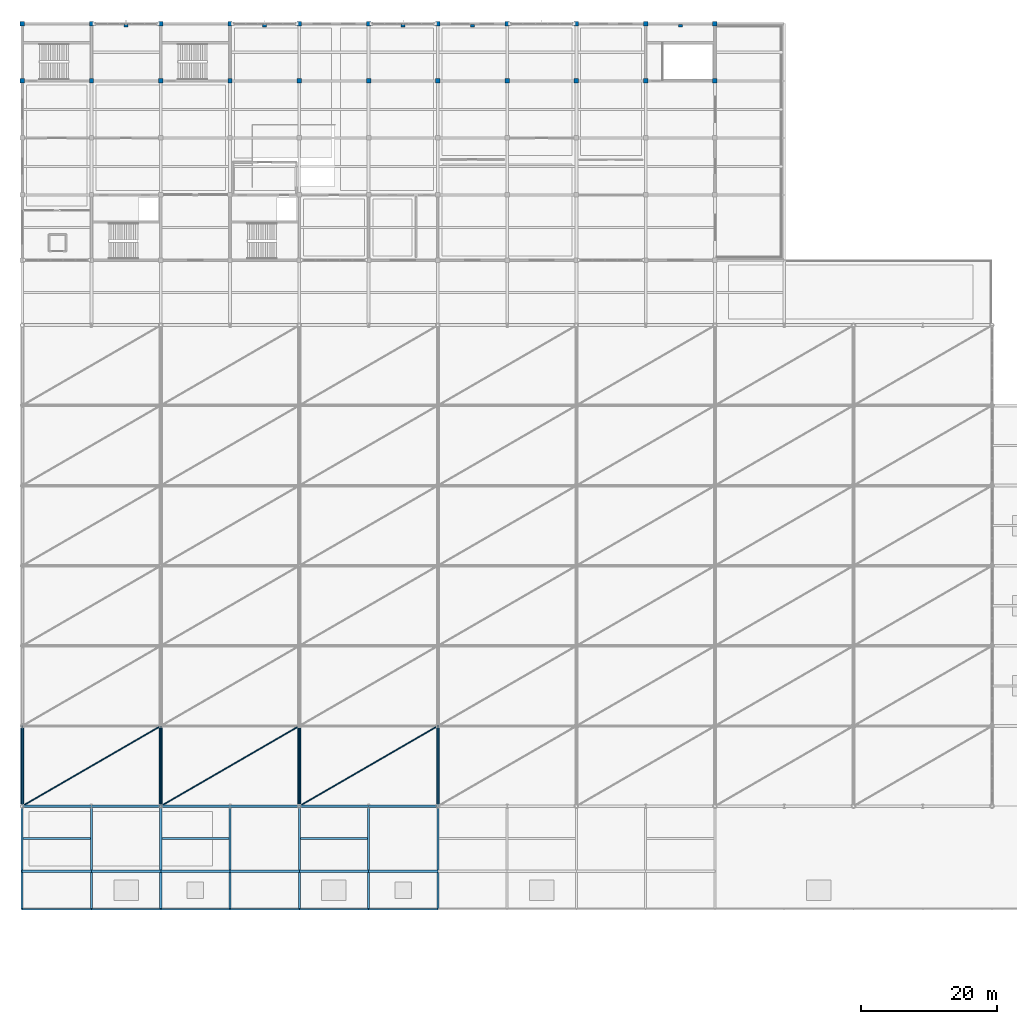
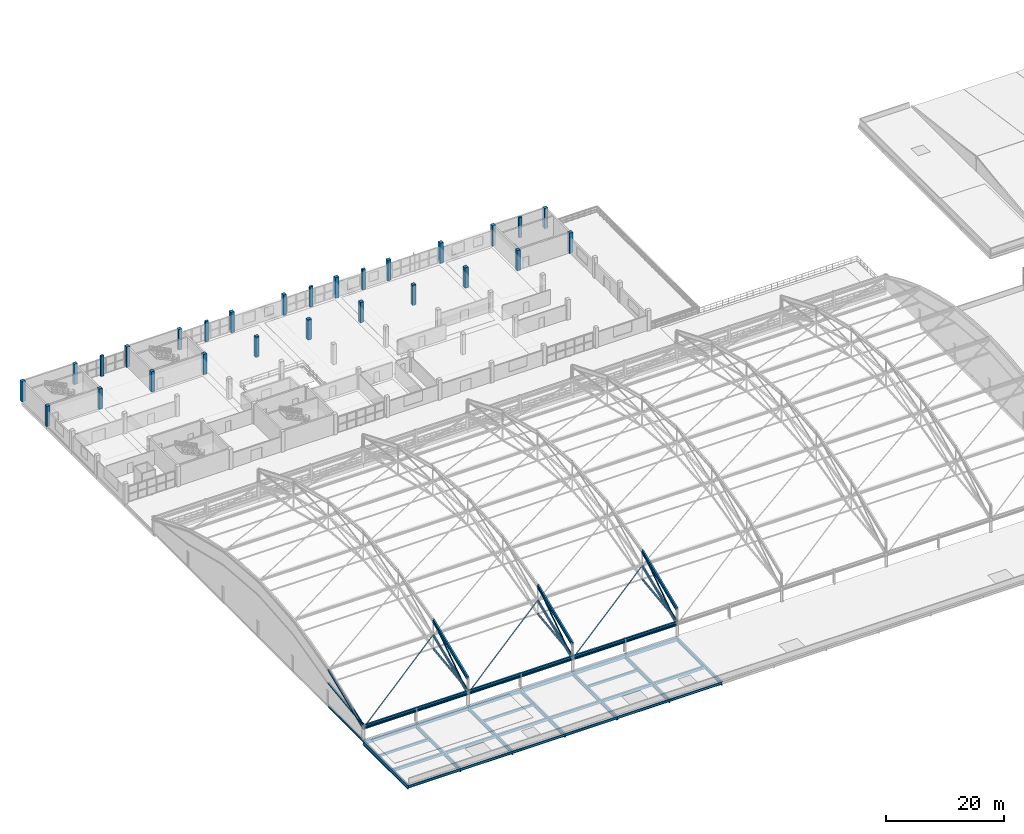
# One storey, part 14 of 135: 35 beams, 27 columns, 21 members.
"""IFC4 building model written with IfcOpenShell, lengths in metres."""

from ifc_helpers import new_model, si_unit, direction, frame, origin, origin_2d, place, context, subcontext, project, spatial, rectangle, hollow_circle, i_section, extrude, material, material_profile, profile_set, type_object, element, save


model = new_model("IFC4")

# Units and contexts
model_context = context("Model", 3, precision=1e-05, world=origin(), true_north=direction((0.0, 1.0)))
body_context = subcontext(model_context, "Body", "Model", "MODEL_VIEW")
ifc_project = project(units=[si_unit("LENGTHUNIT", "METRE"), si_unit("AREAUNIT", "SQUARE_METRE"), si_unit("VOLUMEUNIT", "CUBIC_METRE"), si_unit("PLANEANGLEUNIT", "RADIAN"), si_unit("MASSUNIT", "GRAM", prefix="KILO")], contexts=[model_context])

# Site, building, storey
site_placement = place(None, origin())
site = spatial("IfcSite", under=ifc_project, at=site_placement, CompositionType="ELEMENT")
building_placement = place(site_placement, origin())
building = spatial("IfcBuilding", under=site, at=building_placement, Name="Brelvane Convention Centre", CompositionType="ELEMENT")
storey_placement = place(building_placement, frame((0.0, 0.0, 15.0)))
storey = spatial("IfcBuildingStorey", under=building, at=storey_placement, Name="L03", CompositionType="ELEMENT", Elevation=15.0)

# Columns
ifc_material_1 = material(Name="Concrete M50", Category="concrete")
ifc_material_profile_1 = material_profile(ifc_material_1, rectangle(XDim=0.64990234375, YDim=0.64990234375, at=origin_2d()), Name="RC 650x650")
ifc_profile_set_1 = profile_set([ifc_material_profile_1], Name="Concrete M50")
column_type_1 = type_object("IfcColumnType", Name="RC Column C-RC10 (RC 650x650)", PredefinedType="COLUMN", material=ifc_profile_set_1)
for number, where, z_axis, x_axis, name in (
    (1, (0.0, 135.60009765625, 0.0), (0.0, 0.0, 1.0), (1.0, 0.0, 0.0), "Column 1-P (L03)"),
    (2, (0.0, 144.0, 0.0), (0.0, 0.0, 1.0), (1.0, 0.0, 0.0), "Column 1-Q (L03)"),
    (3, (10.199951171875, 135.60009765625, 0.0), (0.0, 0.0, 1.0), (1.0, 0.0, 0.0), "Column 2-P (L03)"),
    (4, (10.199951171875, 144.0, 0.0), (0.0, 0.0, 1.0), (1.0, 0.0, 0.0), "Column 2-Q (L03)"),
    (5, (20.39990234375, 135.60009765625, 0.0), (0.0, 0.0, 1.0), (1.0, 0.0, 0.0), "Column 3-P (L03)"),
    (6, (20.39990234375, 144.0, 0.0), (0.0, 0.0, 1.0), (1.0, 0.0, 0.0), "Column 3-Q (L03)"),
    (7, (30.60009765625, 135.60009765625, 0.0), (0.0, 0.0, 1.0), (1.0, 0.0, 0.0), "Column 4-P (L03)"),
    (8, (30.60009765625, 144.0, 0.0), (0.0, 0.0, 1.0), (1.0, 0.0, 0.0), "Column 4-Q (L03)"),
    (9, (40.800048828125, 135.60009765625, 0.0), (0.0, 0.0, 1.0), (1.0, 0.0, 0.0), "Column 5-P (L03)"),
    (10, (40.800048828125, 144.0, 0.0), (0.0, 0.0, 1.0), (1.0, 0.0, 0.0), "Column 5-Q (L03)"),
    (11, (51.0, 135.60009765625, 0.0), (0.0, 0.0, 1.0), (1.0, 0.0, 0.0), "Column 6-P (L03)"),
    (12, (51.0, 144.0, 0.0), (0.0, 0.0, 1.0), (1.0, 0.0, 0.0), "Column 6-Q (L03)"),
    (13, (61.199951171875, 135.60009765625, 0.0), (0.0, 0.0, 1.0), (1.0, 0.0, 0.0), "Column 7-P (L03)"),
    (14, (61.199951171875, 144.0, 0.0), (0.0, 0.0, 1.0), (1.0, 0.0, 0.0), "Column 7-Q (L03)"),
    (15, (71.39990234375, 135.60009765625, 0.0), (0.0, 0.0, 1.0), (1.0, 0.0, 0.0), "Column 8-P (L03)"),
    (16, (71.39990234375, 144.0, 0.0), (0.0, 0.0, 1.0), (1.0, 0.0, 0.0), "Column 8-Q (L03)"),
    (17, (81.60009765625, 135.60009765625, 0.0), (0.0, 0.0, 1.0), (1.0, 0.0, 0.0), "Column 9-P (L03)"),
    (18, (81.60009765625, 144.0, 0.0), (0.0, 0.0, 1.0), (1.0, 0.0, 0.0), "Column 9-Q (L03)"),
    (19, (91.800048828125, 135.60009765625, 0.0), (0.0, 0.0, 1.0), (1.0, 0.0, 0.0), "Column 10-P (L03)"),
    (20, (91.800048828125, 144.0, 0.0), (0.0, 0.0, 1.0), (1.0, 0.0, 0.0), "Column 10-Q (L03)"),
    (21, (102.0, 135.60009765625, 0.0), (0.0, 0.0, 1.0), (1.0, 0.0, 0.0), "Column 11-P (L03)"),
    (22, (102.0, 144.0, 0.0), (0.0, 0.0, 1.0), (1.0, 0.0, 0.0), "Column 11-Q (L03)"),
):
    element("IfcColumn", number, at=place(storey_placement, frame(where, z_axis=z_axis, x_axis=x_axis)), inside=storey, type_object=column_type_1, Name=name, PredefinedType="COLUMN", context=body_context, shape_type="SweptSolid", body=[
        extrude(rectangle(XDim=0.64990234375, YDim=0.64990234375, at=origin_2d()), origin(), (0.0, 0.0, 1.0), 4.199951171875),
    ])
ifc_material_2 = material(Name="Concrete M50", Category="concrete")
ifc_material_profile_2 = material_profile(ifc_material_2, rectangle(XDim=0.60009765625, YDim=0.39990234375, at=origin_2d()), Name="RC 600x400")
ifc_profile_set_2 = profile_set([ifc_material_profile_2], Name="Concrete M50")
column_type_2 = type_object("IfcColumnType", Name="RC Column PL-RC3 (RC 600x400)", PredefinedType="PILASTER", material=ifc_profile_set_2)
for number, where, z_axis, x_axis, name in (
    (23, (15.300048828125, 143.699951171875, 0.0), (0.0, 0.0, 1.0), (1.0, 0.0, 0.0), "Rear Wing Structural Pier P1 (L03)"),
    (24, (35.699951171875, 143.699951171875, 0.0), (0.0, 0.0, 1.0), (1.0, 0.0, 0.0), "Rear Wing Structural Pier P2 (L03)"),
    (25, (56.10009765625, 143.699951171875, 0.0), (0.0, 0.0, 1.0), (1.0, 0.0, 0.0), "Rear Wing Structural Pier P3 (L03)"),
    (26, (66.300048828125, 143.699951171875, 0.0), (0.0, 0.0, 1.0), (1.0, 0.0, 0.0), "Rear Wing Structural Pier P4 (L03)"),
    (27, (96.89990234375, 143.699951171875, 0.0), (0.0, 0.0, 1.0), (1.0, 0.0, 0.0), "Rear Wing Structural Pier P5 (L03)"),
):
    element("IfcColumn", number, at=place(storey_placement, frame(where, z_axis=z_axis, x_axis=x_axis)), inside=storey, type_object=column_type_2, Name=name, PredefinedType="PILASTER", context=body_context, shape_type="SweptSolid", body=[
        extrude(rectangle(XDim=0.60009765625, YDim=0.39990234375, at=origin_2d()), origin(), (0.0, 0.0, 1.0), 4.199951171875),
    ])

# Beams
ifc_material_3 = material(Name="Concrete M40", Category="concrete")
ifc_material_profile_3 = material_profile(ifc_material_3, rectangle(XDim=0.39990234375, YDim=0.75, at=origin_2d()), Name="RC 400x750")
ifc_profile_set_3 = profile_set([ifc_material_profile_3], Name="Concrete M40")
beam_type_1 = type_object("IfcBeamType", Name="RC Beam B-RC6 (RC 400x750)", PredefinedType="BEAM", material=ifc_profile_set_3)
for number, where, z_axis, x_axis, name in (
    (28, (0.0, 28.800048828125, -0.675048828125), (1.0, 0.0, 0.0), (0.0, 1.0, 0.0), "L03 Beam 1-2/D"),
    (29, (10.199951171875, 28.800048828125, -0.675048828125), (1.0, 0.0, 0.0), (0.0, 1.0, 0.0), "L03 Beam 2-3/D"),
):
    element("IfcBeam", number, at=place(storey_placement, frame(where, z_axis=z_axis, x_axis=x_axis)), inside=storey, type_object=beam_type_1, Name=name, PredefinedType="BEAM", context=body_context, shape_type="SweptSolid", body=[
        extrude(rectangle(XDim=0.39990234375, YDim=0.75, at=origin_2d()), origin(), (0.0, 0.0, 1.0), 10.199951171875),
    ])
beam_1_placement = place(storey_placement, frame((20.39990234375, 28.800048828125, -0.675048828125), z_axis=(1.0, 0.0, 0.0), x_axis=(0.0, 1.0, 0.0)))
element("IfcBeam", 30, at=beam_1_placement, inside=storey, type_object=beam_type_1, Name="L03 Beam 3-4/D", PredefinedType="BEAM", context=body_context, shape_type="SweptSolid", body=[
    extrude(rectangle(XDim=0.39990234375, YDim=0.75, at=origin_2d()), origin(), (0.0, 0.0, 1.0), 10.2001953125),
])
for number, where, z_axis, x_axis, name in (
    (31, (30.60009765625, 28.800048828125, -0.675048828125), (1.0, 0.0, 0.0), (0.0, 1.0, 0.0), "L03 Beam 4-5/D"),
    (32, (40.800048828125, 28.800048828125, -0.675048828125), (1.0, 0.0, 0.0), (0.0, 1.0, 0.0), "L03 Beam 5-6/D"),
    (33, (51.0, 28.800048828125, -0.675048828125), (1.0, 0.0, 0.0), (0.0, 1.0, 0.0), "L03 Beam 6-7/D"),
):
    element("IfcBeam", number, at=place(storey_placement, frame(where, z_axis=z_axis, x_axis=x_axis)), inside=storey, type_object=beam_type_1, Name=name, PredefinedType="BEAM", context=body_context, shape_type="SweptSolid", body=[
        extrude(rectangle(XDim=0.39990234375, YDim=0.75, at=origin_2d()), origin(), (0.0, 0.0, 1.0), 10.199951171875),
    ])
ifc_material_4 = material(Name="Concrete M40", Category="concrete")
ifc_material_profile_4 = material_profile(ifc_material_4, rectangle(XDim=0.300048828125, YDim=0.5, at=origin_2d()), Name="RC 300x500")
ifc_profile_set_4 = profile_set([ifc_material_profile_4], Name="Concrete M40")
beam_type_2 = type_object("IfcBeamType", Name="RC Joist J-RC2 (RC 300x500)", PredefinedType="JOIST", material=ifc_profile_set_4)
beam_2_placement = place(storey_placement, frame((0.14990234375, 24.0, -0.550048828125), z_axis=(1.0, 0.0, 0.0), x_axis=(0.0, 1.0, 0.0)))
element("IfcBeam", 34, at=beam_2_placement, inside=storey, type_object=beam_type_2, Name="L03 Secondary Joist 1-2/CD", PredefinedType="JOIST", context=body_context, shape_type="SweptSolid", body=[
    extrude(rectangle(XDim=0.300048828125, YDim=0.5, at=origin_2d()), origin(), (0.0, 0.0, 1.0), 9.900146484375),
])
beam_3_placement = place(storey_placement, frame((20.550048828125, 24.0, -0.550048828125), z_axis=(1.0, 0.0, 0.0), x_axis=(0.0, 1.0, 0.0)))
element("IfcBeam", 35, at=beam_3_placement, inside=storey, type_object=beam_type_2, Name="L03 Secondary Joist 3-4/CD", PredefinedType="JOIST", context=body_context, shape_type="SweptSolid", body=[
    extrude(rectangle(XDim=0.300048828125, YDim=0.5, at=origin_2d()), origin(), (0.0, 0.0, 1.0), 9.89990234375),
])
beam_4_placement = place(storey_placement, frame((40.949951171875, 24.0, -0.550048828125), z_axis=(1.0, 0.0, 0.0), x_axis=(0.0, 1.0, 0.0)))
element("IfcBeam", 36, at=beam_4_placement, inside=storey, type_object=beam_type_2, Name="L03 Secondary Joist 5-6/CD", PredefinedType="JOIST", context=body_context, shape_type="SweptSolid", body=[
    extrude(rectangle(XDim=0.300048828125, YDim=0.5, at=origin_2d()), origin(), (0.0, 0.0, 1.0), 9.900146484375),
])
ifc_material_5 = material(Name="Concrete M40", Category="concrete")
ifc_material_profile_5 = material_profile(ifc_material_5, rectangle(XDim=0.35009765625, YDim=0.60009765625, at=origin_2d()), Name="RC 350x600")
ifc_profile_set_5 = profile_set([ifc_material_profile_5], Name="Concrete M40")
beam_type_3 = type_object("IfcBeamType", Name="RC Spandrel SP-RC2 (RC 350x600)", PredefinedType="SPANDREL", material=ifc_profile_set_5)
for number, where, z_axis, x_axis, name in (
    (37, (0.0, 19.199951171875, -0.60009765625), (1.0, 0.0, 0.0), (0.0, 1.0, 0.0), "L03 Beam 1-2/C"),
    (38, (10.199951171875, 19.199951171875, -0.60009765625), (1.0, 0.0, 0.0), (0.0, 1.0, 0.0), "L03 Beam 2-3/C"),
):
    element("IfcBeam", number, at=place(storey_placement, frame(where, z_axis=z_axis, x_axis=x_axis)), inside=storey, type_object=beam_type_3, Name=name, PredefinedType="SPANDREL", context=body_context, shape_type="SweptSolid", body=[
        extrude(rectangle(XDim=0.35009765625, YDim=0.60009765625, at=origin_2d()), origin(), (0.0, 0.0, 1.0), 10.199951171875),
    ])
beam_5_placement = place(storey_placement, frame((20.39990234375, 19.199951171875, -0.60009765625), z_axis=(1.0, 0.0, 0.0), x_axis=(0.0, 1.0, 0.0)))
element("IfcBeam", 39, at=beam_5_placement, inside=storey, type_object=beam_type_3, Name="L03 Beam 3-4/C", PredefinedType="SPANDREL", context=body_context, shape_type="SweptSolid", body=[
    extrude(rectangle(XDim=0.35009765625, YDim=0.60009765625, at=origin_2d()), origin(), (0.0, 0.0, 1.0), 10.2001953125),
])
for number, where, z_axis, x_axis, name in (
    (40, (30.60009765625, 19.199951171875, -0.60009765625), (1.0, 0.0, 0.0), (0.0, 1.0, 0.0), "L03 Beam 4-5/C"),
    (41, (40.800048828125, 19.199951171875, -0.60009765625), (1.0, 0.0, 0.0), (0.0, 1.0, 0.0), "L03 Beam 5-6/C"),
    (42, (51.0, 19.199951171875, -0.60009765625), (1.0, 0.0, 0.0), (0.0, 1.0, 0.0), "L03 Beam 6-7/C"),
):
    element("IfcBeam", number, at=place(storey_placement, frame(where, z_axis=z_axis, x_axis=x_axis)), inside=storey, type_object=beam_type_3, Name=name, PredefinedType="SPANDREL", context=body_context, shape_type="SweptSolid", body=[
        extrude(rectangle(XDim=0.35009765625, YDim=0.60009765625, at=origin_2d()), origin(), (0.0, 0.0, 1.0), 10.199951171875),
    ])
ifc_material_6 = material(Name="Steel E450 (450 MPa)", Category="steel")
ifc_material_profile_6 = material_profile(ifc_material_6, i_section(OverallWidth=0.300048828125, OverallDepth=0.89990234375, WebThickness=0.0166015625, FlangeThickness=0.031982421875, FilletRadius=0.027099609375, at=origin_2d()), Name="NPB 900x300")
ifc_profile_set_6 = profile_set([ifc_material_profile_6], Name="Steel E450 (450 MPa)")
beam_type_4 = type_object("IfcBeamType", Name="Steel Beam B-ST1 (NPB 900x300)", PredefinedType="BEAM", material=ifc_profile_set_6)
beam_6_placement = place(storey_placement, frame((0.0, 28.800048828125, 2.550048828125), z_axis=(1.0, 0.0, 0.0), x_axis=(0.0, 1.0, 0.0)))
element("IfcBeam", 43, at=beam_6_placement, inside=storey, type_object=beam_type_4, Name="SF_EXH Eaves Ring Girder S-1", PredefinedType="BEAM", context=body_context, shape_type="SweptSolid", body=[
    extrude(i_section(OverallWidth=0.300048828125, OverallDepth=0.89990234375, WebThickness=0.0166015625, FlangeThickness=0.031982421875, FilletRadius=0.027099609375, at=origin_2d()), origin(), (0.0, 0.0, 1.0), 20.39990234375),
])
beam_7_placement = place(storey_placement, frame((20.39990234375, 28.800048828125, 2.550048828125), z_axis=(1.0, 0.0, 0.0), x_axis=(0.0, 1.0, 0.0)))
element("IfcBeam", 44, at=beam_7_placement, inside=storey, type_object=beam_type_4, Name="SF_EXH Eaves Ring Girder S-2", PredefinedType="BEAM", context=body_context, shape_type="SweptSolid", body=[
    extrude(i_section(OverallWidth=0.300048828125, OverallDepth=0.89990234375, WebThickness=0.0166015625, FlangeThickness=0.031982421875, FilletRadius=0.027099609375, at=origin_2d()), origin(), (0.0, 0.0, 1.0), 20.400146484375),
])
beam_8_placement = place(storey_placement, frame((40.800048828125, 28.800048828125, 2.550048828125), z_axis=(1.0, 0.0, 0.0), x_axis=(0.0, 1.0, 0.0)))
element("IfcBeam", 45, at=beam_8_placement, inside=storey, type_object=beam_type_4, Name="SF_EXH Eaves Ring Girder S-3", PredefinedType="BEAM", context=body_context, shape_type="SweptSolid", body=[
    extrude(i_section(OverallWidth=0.300048828125, OverallDepth=0.89990234375, WebThickness=0.0166015625, FlangeThickness=0.031982421875, FilletRadius=0.027099609375, at=origin_2d()), origin(), (0.0, 0.0, 1.0), 20.39990234375),
])
ifc_material_7 = material(Name="Steel E450 (450 MPa)", Category="steel")
ifc_material_profile_7 = material_profile(ifc_material_7, i_section(OverallWidth=0.300048828125, OverallDepth=0.800048828125, WebThickness=0.015380859375, FlangeThickness=0.030029296875, FilletRadius=0.027099609375, at=origin_2d()), Name="NPB 800x300")
ifc_profile_set_7 = profile_set([ifc_material_profile_7], Name="Steel E450 (450 MPa)")
beam_type_5 = type_object("IfcBeamType", Name="Steel Beam B-ST2 (NPB 800x300)", PredefinedType="BEAM", material=ifc_profile_set_7)
for number, where, z_axis, x_axis, name in (
    (46, (0.0, 13.60009765625, -0.699951171875), (0.0, 1.0, 0.0), (-1.0, 0.0, 0.0), "L03 Hull Cantilever Girder 1"),
    (47, (10.199951171875, 13.60009765625, -0.699951171875), (0.0, 1.0, 0.0), (-1.0, 0.0, 0.0), "L03 Hull Cantilever Girder 2"),
    (48, (20.39990234375, 13.60009765625, -0.699951171875), (0.0, 1.0, 0.0), (-1.0, 0.0, 0.0), "L03 Hull Cantilever Girder 3"),
    (49, (30.60009765625, 13.60009765625, -0.699951171875), (0.0, 1.0, 0.0), (-1.0, 0.0, 0.0), "L03 Hull Cantilever Girder 4"),
    (50, (40.800048828125, 13.60009765625, -0.699951171875), (0.0, 1.0, 0.0), (-1.0, 0.0, 0.0), "L03 Hull Cantilever Girder 5"),
    (51, (51.0, 13.60009765625, -0.699951171875), (0.0, 1.0, 0.0), (-1.0, 0.0, 0.0), "L03 Hull Cantilever Girder 6"),
    (52, (61.199951171875, 13.60009765625, -0.699951171875), (0.0, 1.0, 0.0), (-1.0, 0.0, 0.0), "L03 Hull Cantilever Girder 7"),
):
    element("IfcBeam", number, at=place(storey_placement, frame(where, z_axis=z_axis, x_axis=x_axis)), inside=storey, type_object=beam_type_5, Name=name, PredefinedType="BEAM", context=body_context, shape_type="SweptSolid", body=[
        extrude(i_section(OverallWidth=0.300048828125, OverallDepth=0.800048828125, WebThickness=0.015380859375, FlangeThickness=0.030029296875, FilletRadius=0.027099609375, at=origin_2d()), origin(), (0.0, 0.0, 1.0), 15.199951171875),
    ])
for number, where, z_axis, x_axis, name in (
    (53, (20.39990234375, 28.800048828125, 5.39990234375), (0.0, 0.923846983903, 0.382762002207), (-1.0, 0.0, 0.0), "EXO_EXH Exoskeletal Arch Girder 2.1"),
    (54, (40.800048828125, 28.800048828125, 5.39990234375), (0.0, 0.923846983903, 0.382762002207), (-1.0, 0.0, 0.0), "EXO_EXH Exoskeletal Arch Girder 3.1"),
    (55, (61.199951171875, 28.800048828125, 5.39990234375), (0.0, 0.923846983903, 0.382762002207), (-1.0, 0.0, 0.0), "EXO_EXH Exoskeletal Arch Girder 4.1"),
):
    element("IfcBeam", number, at=place(storey_placement, frame(where, z_axis=z_axis, x_axis=x_axis)), inside=storey, type_object=beam_type_5, Name=name, PredefinedType="BEAM", context=body_context, shape_type="SweptSolid", body=[
        extrude(i_section(OverallWidth=0.300048828125, OverallDepth=0.800048828125, WebThickness=0.015380859375, FlangeThickness=0.030029296875, FilletRadius=0.027099609375, at=origin_2d()), origin(), (0.0, 0.0, 1.0), 12.772705078125),
    ])

# Members
ifc_material_8 = material(Name="Steel E350 (350 MPa)", Category="steel")
ifc_material_profile_8 = material_profile(ifc_material_8, hollow_circle(Radius=0.136474609375, WallThickness=0.012451171875, at=origin_2d()), Name="CHS 273.0x12.5")
ifc_profile_set_8 = profile_set([ifc_material_profile_8], Name="Steel E350 (350 MPa)")
member_type_1 = type_object("IfcMemberType", Name="Steel Brace SF-DG1 (CHS 273.0x12.5)", PredefinedType="BRACE", material=ifc_profile_set_8)
for number, where, z_axis, x_axis, name in (
    (56, (0.0, 28.800048828125, 3.0), (0.0, 0.941369868841, 0.337376303314), (-1.0, 0.0, 0.0), "SF_EXH Space-Frame Web Diagonal D1.1"),
    (57, (20.39990234375, 28.800048828125, 3.0), (0.0, 0.941369868841, 0.337376303314), (-1.0, 0.0, 0.0), "SF_EXH Space-Frame Web Diagonal D2.1"),
    (58, (40.800048828125, 28.800048828125, 3.0), (0.0, 0.941369868841, 0.337376303314), (-1.0, 0.0, 0.0), "SF_EXH Space-Frame Web Diagonal D3.1"),
    (59, (61.199951171875, 28.800048828125, 3.0), (0.0, 0.941369868841, 0.337376303314), (-1.0, 0.0, 0.0), "SF_EXH Space-Frame Web Diagonal D4.1"),
):
    element("IfcMember", number, at=place(storey_placement, frame(where, z_axis=z_axis, x_axis=x_axis)), inside=storey, type_object=member_type_1, Name=name, PredefinedType="BRACE", context=body_context, shape_type="SweptSolid", body=[
        extrude(hollow_circle(Radius=0.136474609375, WallThickness=0.012451171875, at=origin_2d()), origin(), (0.0, 0.0, 1.0), 12.534912109375),
    ])
for number, where, z_axis, x_axis, name in (
    (60, (20.39990234375, 28.800048828125, 2.340087890625), (0.0, 0.829379646724, 0.558685422756), (-1.0, 0.0, 0.0), "EXO_EXH Exoskeletal Arch Web 2.1"),
    (61, (40.800048828125, 28.800048828125, 2.340087890625), (0.0, 0.829379646724, 0.558685422756), (-1.0, 0.0, 0.0), "EXO_EXH Exoskeletal Arch Web 3.1"),
    (62, (61.199951171875, 28.800048828125, 2.340087890625), (0.0, 0.829379646724, 0.558685422756), (-1.0, 0.0, 0.0), "EXO_EXH Exoskeletal Arch Web 4.1"),
):
    element("IfcMember", number, at=place(storey_placement, frame(where, z_axis=z_axis, x_axis=x_axis)), inside=storey, type_object=member_type_1, Name=name, PredefinedType="BRACE", context=body_context, shape_type="SweptSolid", body=[
        extrude(hollow_circle(Radius=0.136474609375, WallThickness=0.012451171875, at=origin_2d()), origin(), (0.0, 0.0, 1.0), 14.2275390625),
    ])
ifc_material_9 = material(Name="Steel E350 (350 MPa)", Category="steel")
ifc_material_profile_9 = material_profile(ifc_material_9, hollow_circle(Radius=0.109619140625, WallThickness=0.010009765625, at=origin_2d()), Name="CHS 219.1x10.0")
ifc_profile_set_9 = profile_set([ifc_material_profile_9], Name="Steel E350 (350 MPa)")
member_type_2 = type_object("IfcMemberType", Name="Steel Brace SF-DG2 (CHS 219.1x10.0)", PredefinedType="BRACE", material=ifc_profile_set_9)
member_1_placement = place(storey_placement, frame((0.0, 28.800048828125, 2.340087890625), z_axis=(0.847572434082, 0.490266862018, 0.203124033516), x_axis=(-0.500705052683, 0.865617958581, 0.0)))
element("IfcMember", 63, at=member_1_placement, inside=storey, type_object=member_type_2, Name="SF_EXH Roof Diaphragm Brace PB1.1", PredefinedType="BRACE", context=body_context, shape_type="SweptSolid", body=[
    extrude(hollow_circle(Radius=0.109619140625, WallThickness=0.010009765625, at=origin_2d()), origin(), (0.0, 0.0, 1.0), 24.068603515625),
])
member_2_placement = place(storey_placement, frame((20.39990234375, 28.800048828125, 2.340087890625), z_axis=(0.847575290674, 0.490262647041, 0.203122287195), x_axis=(-0.500700562715, 0.865620555727, 0.0)))
element("IfcMember", 64, at=member_2_placement, inside=storey, type_object=member_type_2, Name="SF_EXH Roof Diaphragm Brace PB2.1", PredefinedType="BRACE", context=body_context, shape_type="SweptSolid", body=[
    extrude(hollow_circle(Radius=0.109619140625, WallThickness=0.010009765625, at=origin_2d()), origin(), (0.0, 0.0, 1.0), 24.06884765625),
])
member_3_placement = place(storey_placement, frame((40.800048828125, 28.800048828125, 2.340087890625), z_axis=(0.847572434082, 0.490266862018, 0.203124033516), x_axis=(-0.500705052683, 0.865617958581, 0.0)))
element("IfcMember", 65, at=member_3_placement, inside=storey, type_object=member_type_2, Name="SF_EXH Roof Diaphragm Brace PB3.1", PredefinedType="BRACE", context=body_context, shape_type="SweptSolid", body=[
    extrude(hollow_circle(Radius=0.109619140625, WallThickness=0.010009765625, at=origin_2d()), origin(), (0.0, 0.0, 1.0), 24.068603515625),
])
ifc_material_10 = material(Name="Steel E450 (450 MPa)", Category="steel")
ifc_material_profile_10 = material_profile(ifc_material_10, hollow_circle(Radius=0.203125, WallThickness=0.01611328125, at=origin_2d()), Name="CHS 406.4x16.0")
ifc_profile_set_10 = profile_set([ifc_material_profile_10], Name="Steel E450 (450 MPa)")
member_type_3 = type_object("IfcMemberType", Name="Steel Chord SF-BC1 (CHS 406.4x16.0)", PredefinedType="CHORD", material=ifc_profile_set_10)
for number, where, z_axis, x_axis, name in (
    (66, (0.0, 28.800048828125, 3.0), (0.0, 0.992132246813, 0.125194268374), (-1.0, 0.0, 0.0), "SF_EXH Space-Frame Bottom Chord B1.1"),
    (67, (20.39990234375, 28.800048828125, 3.0), (0.0, 0.992132246813, 0.125194268374), (-1.0, 0.0, 0.0), "SF_EXH Space-Frame Bottom Chord B2.1"),
    (68, (40.800048828125, 28.800048828125, 3.0), (0.0, 0.992132246813, 0.125194268374), (-1.0, 0.0, 0.0), "SF_EXH Space-Frame Bottom Chord B3.1"),
    (69, (61.199951171875, 28.800048828125, 3.0), (0.0, 0.992132246813, 0.125194268374), (-1.0, 0.0, 0.0), "SF_EXH Space-Frame Bottom Chord B4.1"),
):
    element("IfcMember", number, at=place(storey_placement, frame(where, z_axis=z_axis, x_axis=x_axis)), inside=storey, type_object=member_type_3, Name=name, PredefinedType="CHORD", context=body_context, shape_type="SweptSolid", body=[
        extrude(hollow_circle(Radius=0.203125, WallThickness=0.01611328125, at=origin_2d()), origin(), (0.0, 0.0, 1.0), 11.8935546875),
    ])
ifc_material_11 = material(Name="Steel E450 (450 MPa)", Category="steel")
ifc_material_profile_11 = material_profile(ifc_material_11, hollow_circle(Radius=0.228515625, WallThickness=0.02001953125, at=origin_2d()), Name="CHS 457.0x20.0")
ifc_profile_set_11 = profile_set([ifc_material_profile_11], Name="Steel E450 (450 MPa)")
member_type_4 = type_object("IfcMemberType", Name="Steel Chord SF-TC1 (CHS 457.0x20.0)", PredefinedType="CHORD", material=ifc_profile_set_11)
for number, where, z_axis, x_axis, name in (
    (70, (0.0, 28.800048828125, 2.340087890625), (0.0, 0.923846983903, 0.382762002207), (-1.0, 0.0, 0.0), "SF_EXH Space-Frame Top Chord T1.1"),
    (71, (20.39990234375, 28.800048828125, 2.340087890625), (0.0, 0.923846983903, 0.382762002207), (-1.0, 0.0, 0.0), "SF_EXH Space-Frame Top Chord T2.1"),
    (72, (40.800048828125, 28.800048828125, 2.340087890625), (0.0, 0.923846983903, 0.382762002207), (-1.0, 0.0, 0.0), "SF_EXH Space-Frame Top Chord T3.1"),
    (73, (61.199951171875, 28.800048828125, 2.340087890625), (0.0, 0.923846983903, 0.382762002207), (-1.0, 0.0, 0.0), "SF_EXH Space-Frame Top Chord T4.1"),
):
    element("IfcMember", number, at=place(storey_placement, frame(where, z_axis=z_axis, x_axis=x_axis)), inside=storey, type_object=member_type_4, Name=name, PredefinedType="CHORD", context=body_context, shape_type="SweptSolid", body=[
        extrude(hollow_circle(Radius=0.228515625, WallThickness=0.02001953125, at=origin_2d()), origin(), (0.0, 0.0, 1.0), 12.772705078125),
    ])
ifc_material_12 = material(Name="Steel E450 (450 MPa)", Category="steel")
ifc_material_profile_12 = material_profile(ifc_material_12, hollow_circle(Radius=0.177734375, WallThickness=0.01611328125, at=origin_2d()), Name="CHS 355.6x16.0")
ifc_profile_set_12 = profile_set([ifc_material_profile_12], Name="Steel E450 (450 MPa)")
member_type_5 = type_object("IfcMemberType", Name="Steel Chord SF-TC2 (CHS 355.6x16.0)", PredefinedType="CHORD", material=ifc_profile_set_12)
member_4_placement = place(storey_placement, frame((0.0, 28.800048828125, 2.340087890625), z_axis=(1.0, 0.0, 0.0), x_axis=(0.0, 1.0, 0.0)))
element("IfcMember", 74, at=member_4_placement, inside=storey, type_object=member_type_5, Name="SF_EXH Longitudinal Top Chord LT1.1", PredefinedType="CHORD", context=body_context, shape_type="SweptSolid", body=[
    extrude(hollow_circle(Radius=0.177734375, WallThickness=0.01611328125, at=origin_2d()), origin(), (0.0, 0.0, 1.0), 20.39990234375),
])
member_5_placement = place(storey_placement, frame((20.39990234375, 28.800048828125, 2.340087890625), z_axis=(1.0, 0.0, 0.0), x_axis=(0.0, 1.0, 0.0)))
element("IfcMember", 75, at=member_5_placement, inside=storey, type_object=member_type_5, Name="SF_EXH Longitudinal Top Chord LT2.1", PredefinedType="CHORD", context=body_context, shape_type="SweptSolid", body=[
    extrude(hollow_circle(Radius=0.177734375, WallThickness=0.01611328125, at=origin_2d()), origin(), (0.0, 0.0, 1.0), 20.400146484375),
])
member_6_placement = place(storey_placement, frame((40.800048828125, 28.800048828125, 2.340087890625), z_axis=(1.0, 0.0, 0.0), x_axis=(0.0, 1.0, 0.0)))
element("IfcMember", 76, at=member_6_placement, inside=storey, type_object=member_type_5, Name="SF_EXH Longitudinal Top Chord LT3.1", PredefinedType="CHORD", context=body_context, shape_type="SweptSolid", body=[
    extrude(hollow_circle(Radius=0.177734375, WallThickness=0.01611328125, at=origin_2d()), origin(), (0.0, 0.0, 1.0), 20.39990234375),
])

# Beams
ifc_material_13 = material(Name="Steel E350 (350 MPa)", Category="steel")
ifc_material_profile_13 = material_profile(ifc_material_13, i_section(OverallWidth=0.25, OverallDepth=0.5, WebThickness=0.010009765625, FlangeThickness=0.0146484375, FilletRadius=0.01611328125, at=origin_2d()), Name="ISWB 500")
ifc_profile_set_13 = profile_set([ifc_material_profile_13], Name="Steel E350 (350 MPa)")
beam_type_6 = type_object("IfcBeamType", Name="Steel Spandrel SP-ST1 (ISWB 500)", PredefinedType="SPANDREL", material=ifc_profile_set_13)
for number, where, z_axis, x_axis, name in (
    (77, (0.0, 13.60009765625, -0.550048828125), (1.0, 0.0, 0.0), (0.0, 1.0, 0.0), "L03 Hull Overhang Edge Spandrel 1"),
    (78, (10.199951171875, 13.60009765625, -0.550048828125), (1.0, 0.0, 0.0), (0.0, 1.0, 0.0), "L03 Hull Overhang Edge Spandrel 2"),
):
    element("IfcBeam", number, at=place(storey_placement, frame(where, z_axis=z_axis, x_axis=x_axis)), inside=storey, type_object=beam_type_6, Name=name, PredefinedType="SPANDREL", context=body_context, shape_type="SweptSolid", body=[
        extrude(i_section(OverallWidth=0.25, OverallDepth=0.5, WebThickness=0.010009765625, FlangeThickness=0.0146484375, FilletRadius=0.01611328125, at=origin_2d()), origin(), (0.0, 0.0, 1.0), 10.199951171875),
    ])
beam_9_placement = place(storey_placement, frame((20.39990234375, 13.60009765625, -0.550048828125), z_axis=(1.0, 0.0, 0.0), x_axis=(0.0, 1.0, 0.0)))
element("IfcBeam", 79, at=beam_9_placement, inside=storey, type_object=beam_type_6, Name="L03 Hull Overhang Edge Spandrel 3", PredefinedType="SPANDREL", context=body_context, shape_type="SweptSolid", body=[
    extrude(i_section(OverallWidth=0.25, OverallDepth=0.5, WebThickness=0.010009765625, FlangeThickness=0.0146484375, FilletRadius=0.01611328125, at=origin_2d()), origin(), (0.0, 0.0, 1.0), 10.2001953125),
])
for number, where, z_axis, x_axis, name in (
    (80, (30.60009765625, 13.60009765625, -0.550048828125), (1.0, 0.0, 0.0), (0.0, 1.0, 0.0), "L03 Hull Overhang Edge Spandrel 4"),
    (81, (40.800048828125, 13.60009765625, -0.550048828125), (1.0, 0.0, 0.0), (0.0, 1.0, 0.0), "L03 Hull Overhang Edge Spandrel 5"),
    (82, (51.0, 13.60009765625, -0.550048828125), (1.0, 0.0, 0.0), (0.0, 1.0, 0.0), "L03 Hull Overhang Edge Spandrel 6"),
):
    element("IfcBeam", number, at=place(storey_placement, frame(where, z_axis=z_axis, x_axis=x_axis)), inside=storey, type_object=beam_type_6, Name=name, PredefinedType="SPANDREL", context=body_context, shape_type="SweptSolid", body=[
        extrude(i_section(OverallWidth=0.25, OverallDepth=0.5, WebThickness=0.010009765625, FlangeThickness=0.0146484375, FilletRadius=0.01611328125, at=origin_2d()), origin(), (0.0, 0.0, 1.0), 10.199951171875),
    ])
beam_10_placement = place(storey_placement, frame((0.0, 28.800048828125, -0.25), z_axis=(0.0, 1.0, 0.0), x_axis=(-1.0, 0.0, 0.0)))
element("IfcBeam", 83, at=beam_10_placement, inside=storey, type_object=beam_type_6, Name="West Hull Wall Girt L03-1", PredefinedType="SPANDREL", context=body_context, shape_type="SweptSolid", body=[
    extrude(i_section(OverallWidth=0.25, OverallDepth=0.5, WebThickness=0.010009765625, FlangeThickness=0.0146484375, FilletRadius=0.01611328125, at=origin_2d()), origin(), (0.0, 0.0, 1.0), 11.800048828125),
])

save(model, "model.ifc")
